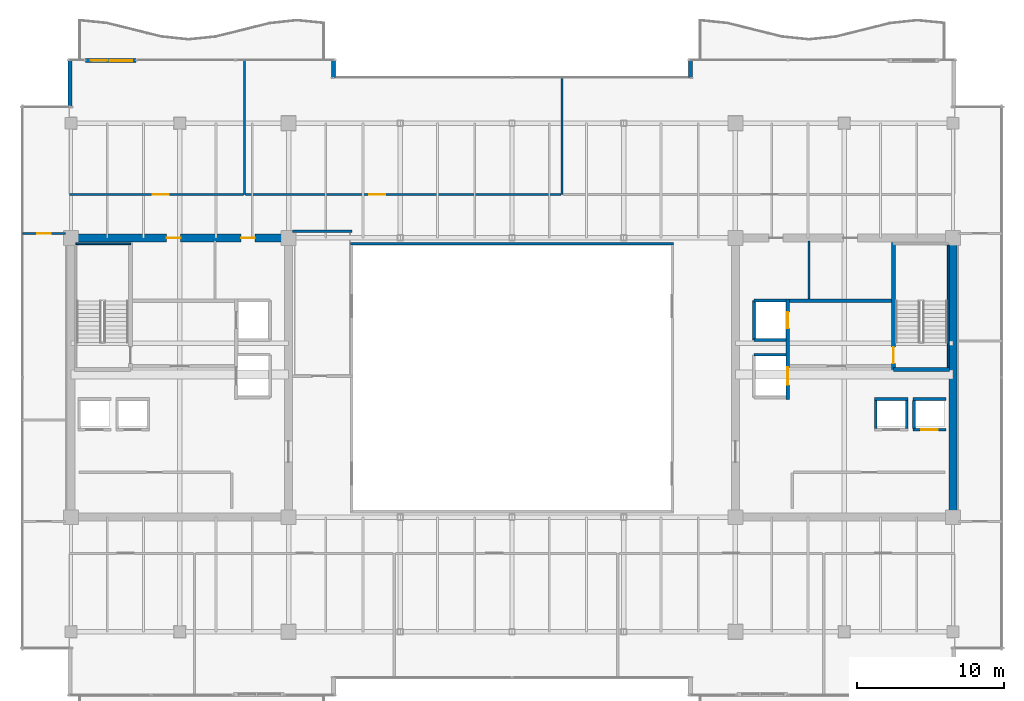
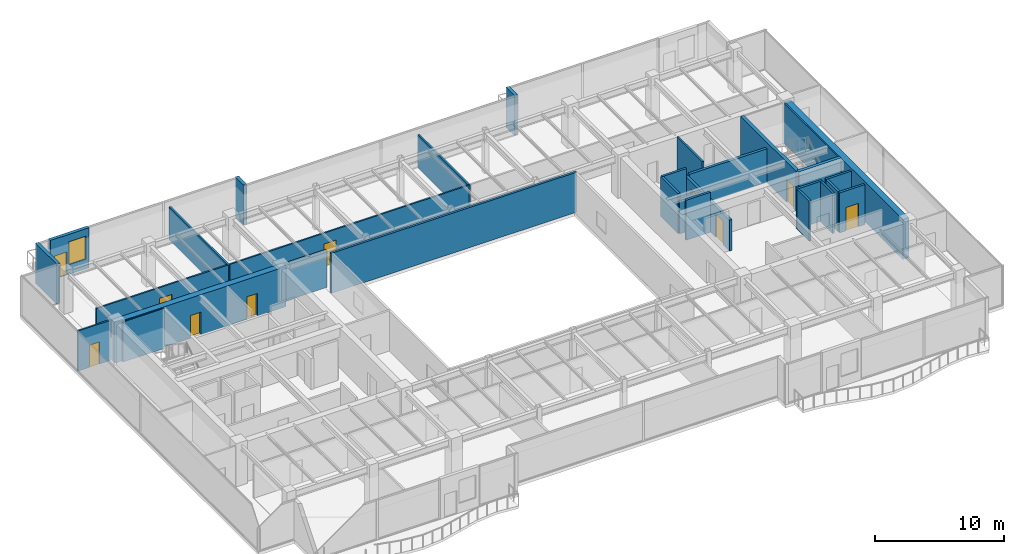
# One storey, part 30 of 35: 30 walls, 10 doors, 1 window, 11 openings.
"""IFC4 building model written with IfcOpenShell, lengths in metres."""

import ifcopenshell
import ifcopenshell.guid

model = None  # the IFC model being written
_history = None  # IfcOwnerHistory: only IFC2X3 demands one
_inside = {}  # id of a spatial element -> (the spatial element, [elements in it])
_under = {}  # id of a project, library or spatial element -> (it, [spatial elements below it])
_declared = {}  # id of a project -> (the project, [libraries it declares])
_typed = {}  # id of a type object -> (the type object, [elements of that type])
_made_of = {}  # id of a material, layer set ... -> (it, [elements and type objects made of it])


def new_model(schema):
    """Start an empty IFC model of exactly this schema.

    Asked for "IFC4X3", IfcOpenShell would pick the latest addendum, in which some entities
    have other attributes; the version numbers below select the first issue.
    IFC2X3 requires an IfcOwnerHistory on every rooted entity: one is made here for all.
    """
    global model, _history
    if schema == "IFC4X3":
        model = ifcopenshell.file(schema_version=(4, 3, 0, 0))
    else:
        model = ifcopenshell.file(schema=schema)
    _inside.clear()
    _under.clear()
    _declared.clear()
    _typed.clear()
    _made_of.clear()
    _history = None
    if model.schema == "IFC2X3":
        org = make("IfcOrganization", Name="unknown")
        user = make(
            "IfcPersonAndOrganization",
            ThePerson=make("IfcPerson", FamilyName="unknown"),
            TheOrganization=org,
        )
        app = make(
            "IfcApplication",
            ApplicationDeveloper=org,
            Version="unknown",
            ApplicationFullName="unknown",
            ApplicationIdentifier="unknown",
        )
        _history = make(
            "IfcOwnerHistory",
            OwningUser=user,
            OwningApplication=app,
            ChangeAction="ADDED",
            CreationDate=0,
        )
    return model


def make(cls, **values):
    """One entity of the class cls with the attributes given. An attribute that is None is left unset."""
    return model.create_entity(
        cls, **{name: value for name, value in values.items() if value is not None}
    )


def rooted(cls, **values):
    """An entity with a GlobalId (a new one), such as an element, a storey or a relation."""
    return make(cls, GlobalId=ifcopenshell.guid.new(), OwnerHistory=_history, **values)


def si_unit(unit_type, name, prefix=None):
    """IfcSIUnit, for example si_unit("LENGTHUNIT", "METRE", prefix="MILLI")."""
    return make("IfcSIUnit", UnitType=unit_type, Prefix=prefix, Name=name)


def assignment(units):
    """IfcUnitAssignment: the units of a project."""
    return None if units is None else make("IfcUnitAssignment", Units=units)


def point(xyz):
    """IfcCartesianPoint."""
    return None if xyz is None else make("IfcCartesianPoint", Coordinates=xyz)


def direction(xyz):
    """IfcDirection."""
    return None if xyz is None else make("IfcDirection", DirectionRatios=xyz)


def frame(location, z_axis=None, x_axis=None):
    """IfcAxis2Placement3D, a coordinate frame: its origin and axes. An axis left out is left unset."""
    return make(
        "IfcAxis2Placement3D",
        Location=point(location),
        Axis=direction(z_axis),
        RefDirection=direction(x_axis),
    )


def frame_2d(location, x_axis=None):
    """IfcAxis2Placement2D, a coordinate frame in the plane: its origin and x axis."""
    return make(
        "IfcAxis2Placement2D", Location=point(location), RefDirection=direction(x_axis)
    )


def origin():
    """The frame at (0, 0, 0) with its axes left unset."""
    return frame((0.0, 0.0, 0.0))


def place(relative_to, where):
    """IfcLocalPlacement: puts the frame where relative to a parent placement (None: the world)."""
    return make(
        "IfcLocalPlacement", PlacementRelTo=relative_to, RelativePlacement=where
    )


def context(
    kind, dimensions, precision=None, world=None, true_north=None, identifier=None
):
    """IfcGeometricRepresentationContext, for example the 3D "Model" context."""
    return make(
        "IfcGeometricRepresentationContext",
        ContextIdentifier=identifier,
        ContextType=kind,
        CoordinateSpaceDimension=dimensions,
        Precision=precision,
        WorldCoordinateSystem=world,
        TrueNorth=true_north,
    )


def subcontext(parent, identifier, kind, view, scale=None):
    """IfcGeometricRepresentationSubContext, for example "Body" below "Model"."""
    return make(
        "IfcGeometricRepresentationSubContext",
        ContextIdentifier=identifier,
        ContextType=kind,
        ParentContext=parent,
        TargetScale=scale,
        TargetView=view,
    )


def project(units=None, contexts=None):
    """IfcProject with its units and contexts."""
    return rooted(
        "IfcProject",
        Name="project",
        RepresentationContexts=contexts,
        UnitsInContext=assignment(units),
    )


def spatial(cls, under=None, at=None, **own):
    """A site, building, storey or space (cls), placed at a placement, below another one or the project."""
    s = rooted(cls, ObjectPlacement=at, **own)
    if under is not None:
        _under.setdefault(under.id(), (under, []))[1].append(s)
    return s


def profile(cls, at=None, kind="AREA", **sizes):
    """A parametric profile (cls). Its sizes go by their IFC names, for example OverallWidth=200.0."""
    return make(cls, ProfileType=kind, Position=at, **sizes)


def rectangle(**sizes):
    """IfcRectangleProfileDef."""
    return profile("IfcRectangleProfileDef", **sizes)


def extrude(swept, where, along, depth):
    """IfcExtrudedAreaSolid: the profile swept, set in the frame where, extruded along a direction by depth."""
    return make(
        "IfcExtrudedAreaSolid",
        SweptArea=swept,
        Position=where,
        ExtrudedDirection=direction(along),
        Depth=depth,
    )


def shape(context_of_items, identifier, shape_type, items):
    """IfcShapeRepresentation: the items that make up one representation, for example the "Body"."""
    return make(
        "IfcShapeRepresentation",
        ContextOfItems=context_of_items,
        RepresentationIdentifier=identifier,
        RepresentationType=shape_type,
        Items=items,
    )


def source(mapping_origin, context_of_items, identifier, shape_type, items):
    """IfcRepresentationMap: a shape defined once, which mapped items show again and again."""
    return make(
        "IfcRepresentationMap",
        MappingOrigin=mapping_origin,
        MappedRepresentation=shape(context_of_items, identifier, shape_type, items),
    )


def transform(
    local_origin,
    x_axis=None,
    y_axis=None,
    z_axis=None,
    scale=None,
    scale2=None,
    scale3=None,
    uniform=True,
):
    """IfcCartesianTransformationOperator3D, or its non-uniform kind. x_axis, y_axis, z_axis: its Axis1, 2, 3."""
    if uniform:
        return make(
            "IfcCartesianTransformationOperator3D",
            Axis1=direction(x_axis),
            Axis2=direction(y_axis),
            LocalOrigin=point(local_origin),
            Scale=scale,
            Axis3=direction(z_axis),
        )
    return make(
        "IfcCartesianTransformationOperator3DnonUniform",
        Axis1=direction(x_axis),
        Axis2=direction(y_axis),
        LocalOrigin=point(local_origin),
        Scale=scale,
        Axis3=direction(z_axis),
        Scale2=scale2,
        Scale3=scale3,
    )


def mapped(mapping_source, mapping_target):
    """IfcMappedItem: shows the shape of a source again, moved by a transform."""
    return make(
        "IfcMappedItem", MappingSource=mapping_source, MappingTarget=mapping_target
    )


def material(Name=None, Category=None):
    """IfcMaterial."""
    return make("IfcMaterial", Name=Name, Category=Category)


def layer(
    of_material, thickness, ventilated=None, Name=None, Category=None, Priority=None
):
    """IfcMaterialLayer: one layer of a wall or slab, of a material (None: an air gap)."""
    return make(
        "IfcMaterialLayer",
        Material=of_material,
        LayerThickness=thickness,
        IsVentilated=ventilated,
        Name=Name,
        Category=Category,
        Priority=Priority,
    )


def layer_set(layers, Name=None):
    """IfcMaterialLayerSet."""
    return make("IfcMaterialLayerSet", MaterialLayers=layers, LayerSetName=Name)


def made_of(thing, what):
    """Note that an element or type object is made of a material, layer set ...; save() writes the relation."""
    if what is not None:
        _made_of.setdefault(what.id(), (what, []))[1].append(thing)
    return thing


def type_object(cls, material=None, **own):
    """A type object (cls), such as IfcWallType, which elements share."""
    return made_of(rooted(cls, **own), material)


def type_shapes(of_type, sources):
    """Give a type object the sources (RepresentationMaps) that its elements show as mapped items."""
    of_type.RepresentationMaps = sources


def element(
    cls,
    number,
    at=None,
    inside=None,
    cuts=None,
    type_object=None,
    material=None,
    context=None,
    identifier="Body",
    shape_type=None,
    held_by="IfcProductDefinitionShape",
    body=None,
    shapes=None,
    **own,
):
    """One element of the class cls, such as IfcWall. Its Tag is "e" and its number.

    at: its placement. inside: the storey or other place that contains it. cuts: it is an
    opening in that element (IfcRelVoidsElement). A single representation is given by context,
    identifier, shape_type and body (its items); several are given by shapes. held_by: the class
    of the entity that holds the representations. save() writes the other relations.
    """
    e = rooted(cls, Tag="e%d" % number, ObjectPlacement=at, **own)
    if body is not None:
        shapes = [shape(context, identifier, shape_type, body)]
    if shapes is not None:
        e.Representation = make(held_by, Representations=shapes)
    if inside is not None:
        _inside.setdefault(inside.id(), (inside, []))[1].append(e)
    if cuts is not None:
        rooted(
            "IfcRelVoidsElement", RelatingBuildingElement=cuts, RelatedOpeningElement=e
        )
    if type_object is not None:
        _typed.setdefault(type_object.id(), (type_object, []))[1].append(e)
    return made_of(e, material)


def fill(opening, filler):
    """IfcRelFillsElement: the door or window that sits in an opening."""
    return rooted(
        "IfcRelFillsElement",
        RelatingOpeningElement=opening,
        RelatedBuildingElement=filler,
    )


def aggregate(whole, parts):
    """IfcRelAggregates: a whole, such as a stair, and the parts it consists of."""
    return rooted("IfcRelAggregates", RelatingObject=whole, RelatedObjects=parts)


def save(model, path):
    """Write the relations noted so far, then the file.

    IfcRelAggregates (storeys below a building ...), IfcRelContainedInSpatialStructure (elements
    in a storey), IfcRelDefinesByType, IfcRelAssociatesMaterial and IfcRelDeclares: one each for
    every whole, place, type object, material and project.
    """
    for whole, parts in _under.values():
        aggregate(whole, parts)
    for where, things in _inside.values():
        rooted(
            "IfcRelContainedInSpatialStructure",
            RelatedElements=things,
            RelatingStructure=where,
        )
    for kind, things in _typed.values():
        rooted("IfcRelDefinesByType", RelatedObjects=things, RelatingType=kind)
    for what, things in _made_of.values():
        rooted("IfcRelAssociatesMaterial", RelatedObjects=things, RelatingMaterial=what)
    for by, libraries in _declared.values():
        rooted("IfcRelDeclares", RelatingContext=by, RelatedDefinitions=libraries)
    model.write(path)


model = new_model("IFC4")

# Units and contexts
model_context = context("Model", 3, precision=1e-05, world=origin(), true_north=direction((0.0, 1.0)))
body_context = subcontext(model_context, "Body", "Model", "MODEL_VIEW")
ifc_project = project(units=[si_unit("LENGTHUNIT", "METRE"), si_unit("AREAUNIT", "SQUARE_METRE"), si_unit("VOLUMEUNIT", "CUBIC_METRE"), si_unit("PLANEANGLEUNIT", "RADIAN"), si_unit("MASSUNIT", "GRAM", prefix="KILO")], contexts=[model_context])

# Site, building, storey
site_placement = place(None, origin())
site = spatial("IfcSite", under=ifc_project, at=site_placement, CompositionType="ELEMENT")
building_placement = place(site_placement, origin())
building = spatial("IfcBuilding", under=site, at=building_placement, Name="Haelvirn Gate Laboratories", CompositionType="ELEMENT")
storey_placement = place(building_placement, frame((0.0, 0.0, 283.39990234375)))
storey = spatial("IfcBuildingStorey", under=building, at=storey_placement, Name="L68", CompositionType="ELEMENT", Elevation=283.39990234375)

# Wall, openings, door, window
ifc_material_1 = material(Name="Thermally-broken bronze aluminium rainscreen & mineral wool", Category="aluminium")
ifc_layer_1 = layer(ifc_material_1, 0.280029296875, Name="EW-TERR-280")
ifc_layer_set_1 = layer_set([ifc_layer_1], Name="Thermally-broken bronze aluminium rainscreen & mineral wool")
wall_type_1 = type_object("IfcWallType", Name="EW-TERR-280", PredefinedType="STANDARD", material=ifc_layer_set_1)
wall_1_placement = place(storey_placement, frame((8.3720703125, 45.860107421875, 0.0), z_axis=(0.0, 0.0, 1.0), x_axis=(1.0, 0.0, 0.0)))
wall_1 = element("IfcWall", 1, at=wall_1_placement, inside=storey, type_object=wall_type_1, Name="L68 Terrace Access Wall WB-WL-N", PredefinedType="STANDARD", context=body_context, shape_type="SweptSolid", body=[
    extrude(rectangle(XDim=3.455810546875, YDim=0.280029296875, at=frame_2d((1.72802734375, 0.0))), origin(), (0.0, 0.0, 1.0), 3.800048828125),
])
opening_1_placement = place(wall_1_placement, frame((0.3779296875, 0.0, 0.0)))
opening_1 = element("IfcOpeningElement", 2, at=opening_1_placement, cuts=wall_1, Name="Opening TD1", PredefinedType="OPENING", context=body_context, shape_type="SweptSolid", body=[
    extrude(rectangle(XDim=1.10009765625, YDim=2.199951171875, at=frame_2d((0.550048828125, 1.10009765625))), frame((0.0, 0.14990234375, 0.0), z_axis=(0.0, -1.0, 0.0), x_axis=(1.0, 0.0, 0.0)), (0.0, 0.0, 1.0), 0.300048828125),
])
opening_2_placement = place(wall_1_placement, frame((1.677978515625, 0.0, 0.89990234375)))
opening_2 = element("IfcOpeningElement", 3, at=opening_2_placement, cuts=wall_1, Name="Opening W3", PredefinedType="OPENING", context=body_context, shape_type="SweptSolid", body=[
    extrude(rectangle(XDim=1.5, YDim=2.199951171875, at=frame_2d((0.75, 1.10009765625))), frame((0.0, 0.14990234375, 0.0), z_axis=(0.0, -1.0, 0.0), x_axis=(1.0, 0.0, 0.0)), (0.0, 0.0, 1.0), 0.300048828125),
])
ifc_material_2 = material(Name="Thermally-broken bronze aluminium glazed terrace door", Category="aluminium")
door_type_1 = type_object("IfcDoorType", Name="DR-TERR-1100", OperationType="NOTDEFINED", PredefinedType="DOOR", material=ifc_material_2)
shared_shape_1 = source(origin(), body_context, "Body", "SweptSolid", [
    extrude(rectangle(XDim=1.10009765625, YDim=2.199951171875, at=frame_2d((0.550048828125, 1.10009765625))), frame((0.0, 0.02490234375, 0.0), z_axis=(0.0, -1.0, 0.0), x_axis=(1.0, 0.0, 0.0)), (0.0, 0.0, 1.0), 0.050048828125),
])
type_shapes(door_type_1, [shared_shape_1])
door_1_placement = place(opening_1_placement, origin())
door_1 = element("IfcDoor", 4, at=door_1_placement, inside=storey, type_object=door_type_1, Name="L68 Terrace Access Door WB-WL-N", OperationType="SINGLE_SWING_RIGHT", OverallHeight=2.199951171875, OverallWidth=1.10009765625, PredefinedType="DOOR", context=body_context, shape_type="MappedRepresentation", body=[
    mapped(shared_shape_1, transform((0.0, 0.0, 0.0), scale=1.0)),
])
fill(opening_1, door_1)
ifc_material_3 = material(Name="Bronze anodised aluminium & triple low-E glass", Category="aluminium")
window_type = type_object("IfcWindowType", Name="WIN-TERR-1600", PartitioningType="SINGLE_PANEL", PredefinedType="WINDOW", material=ifc_material_3)
shared_shape_2 = source(origin(), body_context, "Body", "SweptSolid", [
    extrude(rectangle(XDim=1.5, YDim=2.199951171875, at=frame_2d((0.75, 1.10009765625))), frame((0.0, 0.030029296875, 0.0), z_axis=(0.0, -1.0, 0.0), x_axis=(1.0, 0.0, 0.0)), (0.0, 0.0, 1.0), 0.06005859375),
])
type_shapes(window_type, [shared_shape_2])
window_placement = place(opening_2_placement, origin())
window = element("IfcWindow", 5, at=window_placement, inside=storey, type_object=window_type, Name="L68 Terrace Vision Window WB-WL-N", OverallHeight=2.199951171875, OverallWidth=1.5, PartitioningType="SINGLE_PANEL", PredefinedType="WINDOW", context=body_context, shape_type="MappedRepresentation", body=[
    mapped(shared_shape_2, transform((0.0, 0.0, 0.0), scale=1.0)),
])
fill(opening_2, window)

# Walls
for number, where, z_axis, x_axis, name in (
    (6, (49.5400390625, 46.0, 0.0), (0.0, 0.0, 1.0), (0.0, -1.0, 0.0), "L68 Atrium Recess Bronze Return Wall 11"),
    (7, (25.260009765625, 44.70703125, 0.0), (0.0, 0.0, 1.0), (0.0, 1.0, 0.0), "L68 Atrium Recess Bronze Return Wall 13"),
):
    element("IfcWall", number, at=place(storey_placement, frame(where, z_axis=z_axis, x_axis=x_axis)), inside=storey, type_object=wall_type_1, Name=name, PredefinedType="STANDARD", context=body_context, shape_type="SweptSolid", body=[
        extrude(rectangle(XDim=1.29296875, YDim=0.280029296875, at=frame_2d((0.646484375, 0.0))), origin(), (0.0, 0.0, 1.0), 3.800048828125),
    ])
wall_2_placement = place(storey_placement, frame((7.340087890625, 46.0, 0.0), z_axis=(0.0, 0.0, 1.0), x_axis=(0.0, -1.0, 0.0)))
element("IfcWall", 8, at=wall_2_placement, inside=storey, type_object=wall_type_1, Name="L68 Atrium Recess Bronze Return Wall 15", PredefinedType="STANDARD", context=body_context, shape_type="SweptSolid", body=[
    extrude(rectangle(XDim=3.2880859375, YDim=0.280029296875, at=frame_2d((1.64404296875, 0.0))), origin(), (0.0, 0.0, 1.0), 3.800048828125),
])
ifc_material_4 = material(Name="Double-layer acoustic gypsum laboratory partition", Category="gypsum")
ifc_layer_2 = layer(ifc_material_4, 0.159912109375, Name="IW-ACOUST-160")
ifc_layer_set_2 = layer_set([ifc_layer_2], Name="Double-layer acoustic gypsum laboratory partition")
wall_type_2 = type_object("IfcWallType", Name="IW-ACOUST-160", PredefinedType="PARTITIONING", material=ifc_layer_set_2)
wall_3_placement = place(storey_placement, frame((19.199951171875, 36.760009765625, 0.0), z_axis=(0.0, 0.0, 1.0), x_axis=(0.0, 1.0, 0.0)))
element("IfcWall", 9, at=wall_3_placement, inside=storey, type_object=wall_type_2, Name="L68 Interior Wall IW-L68-NDIV-01", PredefinedType="PARTITIONING", context=body_context, shape_type="SweptSolid", body=[
    extrude(rectangle(XDim=9.1298828125, YDim=0.159912109375, at=frame_2d((4.56494140625, 0.0))), origin(), (0.0, 0.0, 1.0), 3.135009765625),
])
wall_4_placement = place(storey_placement, frame((40.800048828125, 36.760009765625, 0.0), z_axis=(0.0, 0.0, 1.0), x_axis=(0.0, 1.0, 0.0)))
element("IfcWall", 10, at=wall_4_placement, inside=storey, type_object=wall_type_2, Name="L68 Interior Wall IW-L68-NDIV-02", PredefinedType="PARTITIONING", context=body_context, shape_type="SweptSolid", body=[
    extrude(rectangle(XDim=7.929931640625, YDim=0.159912109375, at=frame_2d((3.96484375, 0.0))), origin(), (0.0, 0.0, 1.0), 3.135009765625),
])
ifc_material_5 = material(Name="Fire-rated acoustic gypsum board partition", Category="gypsum")
ifc_layer_3 = layer(ifc_material_5, 0.175048828125, Name="IW-ACOUST-180")
ifc_layer_set_3 = layer_set([ifc_layer_3], Name="Fire-rated acoustic gypsum board partition")
wall_type_3 = type_object("IfcWallType", Name="IW-ACOUST-180", PredefinedType="PARTITIONING", material=ifc_layer_set_3)
wall_5_placement = place(storey_placement, frame((22.47509765625, 34.260009765625, 0.0), z_axis=(0.0, 0.0, 1.0), x_axis=(1.0, 0.0, 0.0)))
element("IfcWall", 11, at=wall_5_placement, inside=storey, type_object=wall_type_3, Name="L68 Interior Wall IW-L68-WPOD-N", PredefinedType="PARTITIONING", context=body_context, shape_type="SweptSolid", body=[
    extrude(rectangle(XDim=4.02490234375, YDim=0.175048828125, at=frame_2d((2.012451171875, 0.0))), origin(), (0.0, 0.0, 1.0), 3.53515625),
])
ifc_material_6 = material(Name="Tempered fire-rated borosilicate glass & anodised aluminium", Category="aluminium")
ifc_layer_4 = layer(ifc_material_6, 0.195068359375, Name="IW-GLAZ-200")
ifc_layer_set_4 = layer_set([ifc_layer_4], Name="Tempered fire-rated borosilicate glass & anodised aluminium")
wall_type_4 = type_object("IfcWallType", Name="IW-GLAZ-200", PredefinedType="SOLIDWALL", material=ifc_layer_set_4)
wall_6_placement = place(storey_placement, frame((26.39990234375, 33.39990234375, 0.0), z_axis=(0.0, 0.0, 1.0), x_axis=(1.0, 0.0, 0.0)))
element("IfcWall", 12, at=wall_6_placement, inside=storey, type_object=wall_type_4, Name="L68 Interior Wall IW-L68-ATRIUM-N", PredefinedType="SOLIDWALL", context=body_context, shape_type="SweptSolid", body=[
    extrude(rectangle(XDim=22.0, YDim=0.195068359375, at=frame_2d((11.0, 0.0))), origin(), (0.0, 0.0, 1.0), 3.800048828125),
])

# Wall, opening, door
ifc_material_7 = material(Name="Acoustic mineral-wool gypsum board partition", Category="gypsum")
ifc_layer_5 = layer(ifc_material_7, 0.139892578125, Name="IW-PART-140")
ifc_layer_set_5 = layer_set([ifc_layer_5], Name="Acoustic mineral-wool gypsum board partition")
wall_type_5 = type_object("IfcWallType", Name="IW-PART-140", PredefinedType="PARTITIONING", material=ifc_layer_set_5)
wall_7_placement = place(storey_placement, frame((7.31005859375, 36.760009765625, 0.0), z_axis=(0.0, 0.0, 1.0), x_axis=(1.0, 0.0, 0.0)))
wall_7 = element("IfcWall", 13, at=wall_7_placement, inside=storey, type_object=wall_type_5, Name="L68 Interior Wall IW-L68-NCORR-01", PredefinedType="PARTITIONING", context=body_context, shape_type="SweptSolid", body=[
    extrude(rectangle(XDim=11.81005859375, YDim=0.139892578125, at=frame_2d((5.905029296875, 0.0))), origin(), (0.0, 0.0, 1.0), 3.197021484375),
])
opening_3_placement = place(wall_7_placement, frame((5.6552734375, 0.0, 0.0)))
opening_3 = element("IfcOpeningElement", 14, at=opening_3_placement, cuts=wall_7, Name="Opening D1", PredefinedType="OPENING", context=body_context, shape_type="SweptSolid", body=[
    extrude(rectangle(XDim=1.10009765625, YDim=2.179931640625, at=frame_2d((0.550048828125, 1.08984375))), frame((0.0, 0.080078125, 0.0), z_axis=(0.0, -1.0, 0.0), x_axis=(1.0, 0.0, 0.0)), (0.0, 0.0, 1.0), 0.159912109375),
])
ifc_material_8 = material(Name="Vision-panel acoustic solid-core timber lab door", Category="wood")
door_type_2 = type_object("IfcDoorType", Name="DR-LAB-1100", OperationType="NOTDEFINED", PredefinedType="DOOR", material=ifc_material_8)
shared_shape_3 = source(origin(), body_context, "Body", "SweptSolid", [
    extrude(rectangle(XDim=1.10009765625, YDim=2.179931640625, at=frame_2d((0.550048828125, 1.08984375))), frame((0.0, 0.02490234375, 0.0), z_axis=(0.0, -1.0, 0.0), x_axis=(1.0, 0.0, 0.0)), (0.0, 0.0, 1.0), 0.050048828125),
])
type_shapes(door_type_2, [shared_shape_3])
door_2_placement = place(opening_3_placement, origin())
door_2 = element("IfcDoor", 15, at=door_2_placement, inside=storey, type_object=door_type_2, Name="L68 Researcher Quiet Study Door N1", OperationType="SINGLE_SWING_RIGHT", OverallHeight=2.179931640625, OverallWidth=1.10009765625, PredefinedType="DOOR", context=body_context, shape_type="MappedRepresentation", body=[
    mapped(shared_shape_3, transform((0.0, 0.0, 0.0), scale=1.0)),
])
fill(opening_3, door_2)

wall_8_placement = place(storey_placement, frame((19.280029296875, 36.760009765625, 0.0), z_axis=(0.0, 0.0, 1.0), x_axis=(1.0, 0.0, 0.0)))
wall_8 = element("IfcWall", 16, at=wall_8_placement, inside=storey, type_object=wall_type_5, Name="L68 Interior Wall IW-L68-NCORR-02", PredefinedType="PARTITIONING", context=body_context, shape_type="SweptSolid", body=[
    extrude(rectangle(XDim=21.43994140625, YDim=0.139892578125, at=frame_2d((10.719970703125, 0.0))), origin(), (0.0, 0.0, 1.0), 3.197021484375),
])
opening_4_placement = place(wall_8_placement, frame((8.40234375, 0.0, 0.0)))
opening_4 = element("IfcOpeningElement", 17, at=opening_4_placement, cuts=wall_8, Name="Opening D1", PredefinedType="OPENING", context=body_context, shape_type="SweptSolid", body=[
    extrude(rectangle(XDim=1.10009765625, YDim=2.179931640625, at=frame_2d((0.550048828125, 1.08984375))), frame((0.0, 0.080078125, 0.0), z_axis=(0.0, -1.0, 0.0), x_axis=(1.0, 0.0, 0.0)), (0.0, 0.0, 1.0), 0.159912109375),
])
door_3_placement = place(opening_4_placement, origin())
door_3 = element("IfcDoor", 18, at=door_3_placement, inside=storey, type_object=door_type_2, Name="L68 Computational Write-Up Office Door N2", OperationType="SINGLE_SWING_LEFT", OverallHeight=2.179931640625, OverallWidth=1.10009765625, PredefinedType="DOOR", context=body_context, shape_type="MappedRepresentation", body=[
    mapped(shared_shape_3, transform((0.0, 0.0, 0.0), scale=1.0)),
])
fill(opening_4, door_3)

wall_9_placement = place(storey_placement, frame((4.110107421875, 34.094970703125, 0.0), z_axis=(0.0, 0.0, 1.0), x_axis=(1.0, 0.0, 0.0)))
wall_9 = element("IfcWall", 19, at=wall_9_placement, inside=storey, type_object=wall_type_5, Name="L68 Interior Wall IW-L68-WZ3-ENT-N", PredefinedType="PARTITIONING", context=body_context, shape_type="SweptSolid", body=[
    extrude(rectangle(XDim=2.909912109375, YDim=0.139892578125, at=frame_2d((1.455078125, 0.0))), origin(), (0.0, 0.0, 1.0), 3.800048828125),
])
opening_5_placement = place(wall_9_placement, frame((1.0048828125, 0.0, 0.0)))
opening_5 = element("IfcOpeningElement", 20, at=opening_5_placement, cuts=wall_9, Name="Opening D4", PredefinedType="OPENING", context=body_context, shape_type="SweptSolid", body=[
    extrude(rectangle(XDim=0.89990234375, YDim=2.10009765625, at=frame_2d((0.449951171875, 1.050048828125))), frame((0.0, 0.080078125, 0.0), z_axis=(0.0, -1.0, 0.0), x_axis=(1.0, 0.0, 0.0)), (0.0, 0.0, 1.0), 0.159912109375),
])
ifc_material_9 = material(Name="Glazed aluminium-framed write-up door", Category="aluminium")
door_type_3 = type_object("IfcDoorType", Name="DR-OFF-900", OperationType="NOTDEFINED", PredefinedType="DOOR", material=ifc_material_9)
shared_shape_4 = source(origin(), body_context, "Body", "SweptSolid", [
    extrude(rectangle(XDim=0.89990234375, YDim=2.10009765625, at=frame_2d((0.449951171875, 1.050048828125))), frame((0.0, 0.02490234375, 0.0), z_axis=(0.0, -1.0, 0.0), x_axis=(1.0, 0.0, 0.0)), (0.0, 0.0, 1.0), 0.050048828125),
])
type_shapes(door_type_3, [shared_shape_4])
door_4_placement = place(opening_5_placement, origin())
door_4 = element("IfcDoor", 21, at=door_4_placement, inside=storey, type_object=door_type_3, Name="L68 Researcher Break Pantry Door W-N", OperationType="SINGLE_SWING_RIGHT", OverallHeight=2.10009765625, OverallWidth=0.89990234375, PredefinedType="DOOR", context=body_context, shape_type="MappedRepresentation", body=[
    mapped(shared_shape_4, transform((0.0, 0.0, 0.0), scale=1.0)),
])
fill(opening_5, door_4)

# Walls
ifc_material_10 = material(Name="Cement-board restroom plumbing chase wall", Category="gypsum")
ifc_layer_6 = layer(ifc_material_10, 0.155029296875, Name="IW-PLUMB-160")
ifc_layer_set_6 = layer_set([ifc_layer_6], Name="Cement-board restroom plumbing chase wall")
wall_type_6 = type_object("IfcWallType", Name="IW-PLUMB-160", PredefinedType="PLUMBINGWALL", material=ifc_layer_set_6)
wall_10_placement = place(storey_placement, frame((57.610107421875, 29.64990234375, 0.0), z_axis=(0.0, 0.0, 1.0), x_axis=(0.0, 1.0, 0.0)))
element("IfcWall", 22, at=wall_10_placement, inside=storey, type_object=wall_type_6, Name="L68 Interior Wall IW-L68-E-CDIV-1", PredefinedType="PLUMBINGWALL", context=body_context, shape_type="SweptSolid", body=[
    extrude(rectangle(XDim=3.93017578125, YDim=0.155029296875, at=frame_2d((1.965087890625, 0.0))), origin(), (0.0, 0.0, 1.0), 3.800048828125),
])
ifc_material_11 = material(Name="Concrete C40/50", Category="concrete")
ifc_layer_7 = layer(ifc_material_11, 0.179931640625, Name="IW-SHAFT-180")
ifc_layer_set_7 = layer_set([ifc_layer_7], Name="Concrete C40/50")
wall_type_7 = type_object("IfcWallType", Name="IW-SHAFT-180", PredefinedType="SOLIDWALL", material=ifc_layer_set_7)
for number, where, z_axis, x_axis, name in (
    (23, (64.75, 20.85009765625, 0.0), (0.0, 0.0, 1.0), (0.0, 1.0, 0.0), "L68 Interior Wall IW-L68-PL11-SD"),
    (24, (62.14990234375, 20.85009765625, 0.0), (0.0, 0.0, 1.0), (0.0, 1.0, 0.0), "L68 Interior Wall IW-L68-PL12-SD"),
    (25, (64.25, 20.85009765625, 0.0), (0.0, 0.0, 1.0), (0.0, 1.0, 0.0), "L68 Interior Wall IW-L68-PL12-SDE"),
):
    element("IfcWall", number, at=place(storey_placement, frame(where, z_axis=z_axis, x_axis=x_axis)), inside=storey, type_object=wall_type_7, Name=name, PredefinedType="SOLIDWALL", context=body_context, shape_type="SweptSolid", body=[
        extrude(rectangle(XDim=1.89990234375, YDim=0.179931640625, at=frame_2d((0.949951171875, 0.0))), origin(), (0.0, 0.0, 1.0), 3.800048828125),
    ])

# Wall, opening, door
ifc_layer_8 = layer(ifc_material_11, 0.199951171875, Name="IW-SHAFT-200")
ifc_layer_set_8 = layer_set([ifc_layer_8], Name="Concrete C40/50")
wall_type_8 = type_object("IfcWallType", Name="IW-SHAFT-200", PredefinedType="SOLIDWALL", material=ifc_layer_set_8)
wall_11_placement = place(storey_placement, frame((64.669921875, 20.75, 0.0), z_axis=(0.0, 0.0, 1.0), x_axis=(1.0, 0.0, 0.0)))
wall_11 = element("IfcWall", 26, at=wall_11_placement, inside=storey, type_object=wall_type_8, Name="L68 Interior Wall IW-L68-PL11-FR", PredefinedType="SOLIDWALL", context=body_context, shape_type="SweptSolid", body=[
    extrude(rectangle(XDim=2.260009765625, YDim=0.199951171875, at=frame_2d((1.1298828125, 0.0))), origin(), (0.0, 0.0, 1.0), 3.800048828125),
])
opening_6_placement = place(wall_11_placement, frame((0.580078125, 0.0, 0.0)))
opening_6 = element("IfcOpeningElement", 27, at=opening_6_placement, cuts=wall_11, Name="Opening LD2", PredefinedType="OPENING", context=body_context, shape_type="SweptSolid", body=[
    extrude(rectangle(XDim=1.10009765625, YDim=2.219970703125, at=frame_2d((0.550048828125, 1.10986328125))), frame((0.0, 0.10986328125, 0.0), z_axis=(0.0, -1.0, 0.0), x_axis=(1.0, 0.0, 0.0)), (0.0, 0.0, 1.0), 0.219970703125),
])
ifc_material_12 = material(Name="Bronze stainless 316L sliding lift landing door")
door_type_4 = type_object("IfcDoorType", Name="DR-LD-1100", OperationType="NOTDEFINED", PredefinedType="USERDEFINED", material=ifc_material_12)
shared_shape_5 = source(origin(), body_context, "Body", "SweptSolid", [
    extrude(rectangle(XDim=1.10009765625, YDim=2.219970703125, at=frame_2d((0.550048828125, 1.10986328125))), frame((0.0, 0.02490234375, 0.0), z_axis=(0.0, -1.0, 0.0), x_axis=(1.0, 0.0, 0.0)), (0.0, 0.0, 1.0), 0.050048828125),
])
type_shapes(door_type_4, [shared_shape_5])
door_5_placement = place(opening_6_placement, origin())
door_5 = element("IfcDoor", 28, at=door_5_placement, inside=storey, type_object=door_type_4, Name="L68 Passenger Lift PL11 Landing Door", ObjectType="LANDING_DOOR", OperationType="SLIDING_TO_LEFT", OverallHeight=2.219970703125, OverallWidth=1.10009765625, PredefinedType="USERDEFINED", context=body_context, shape_type="MappedRepresentation", body=[
    mapped(shared_shape_5, transform((0.0, 0.0, 0.0), scale=1.0)),
])
fill(opening_6, door_5)

# Walls
for number, where, z_axis, x_axis, name in (
    (29, (64.669921875, 22.85009765625, 0.0), (0.0, 0.0, 1.0), (1.0, 0.0, 0.0), "L68 Interior Wall IW-L68-PL11-BK"),
    (30, (62.070068359375, 22.85009765625, 0.0), (0.0, 0.0, 1.0), (1.0, 0.0, 0.0), "L68 Interior Wall IW-L68-PL12-BK"),
):
    element("IfcWall", number, at=place(storey_placement, frame(where, z_axis=z_axis, x_axis=x_axis)), inside=storey, type_object=wall_type_8, Name=name, PredefinedType="SOLIDWALL", context=body_context, shape_type="SweptSolid", body=[
        extrude(rectangle(XDim=2.260009765625, YDim=0.199951171875, at=frame_2d((1.1298828125, 0.0))), origin(), (0.0, 0.0, 1.0), 3.800048828125),
    ])
wall_12_placement = place(storey_placement, frame((53.85009765625, 26.85009765625, 0.0), z_axis=(0.0, 0.0, 1.0), x_axis=(0.0, 1.0, 0.0)))
element("IfcWall", 31, at=wall_12_placement, inside=storey, type_object=wall_type_8, Name="L68 Interior Wall IW-L68-FL2-BK", PredefinedType="SOLIDWALL", context=body_context, shape_type="SweptSolid", body=[
    extrude(rectangle(XDim=2.699951171875, YDim=0.199951171875, at=frame_2d((1.35009765625, 0.0))), origin(), (0.0, 0.0, 1.0), 3.800048828125),
])
wall_13_placement = place(storey_placement, frame((53.85009765625, 29.550048828125, 0.0), z_axis=(0.0, 0.0, 1.0), x_axis=(1.0, 0.0, 0.0)))
element("IfcWall", 32, at=wall_13_placement, inside=storey, type_object=wall_type_8, Name="L68 Interior Wall IW-L68-FL2-N", PredefinedType="SOLIDWALL", context=body_context, shape_type="SweptSolid", body=[
    extrude(rectangle(XDim=2.18994140625, YDim=0.199951171875, at=frame_2d((1.094970703125, 0.0))), origin(), (0.0, 0.0, 1.0), 3.800048828125),
])
wall_14_placement = place(storey_placement, frame((53.85009765625, 26.85009765625, 0.0), z_axis=(0.0, 0.0, 1.0), x_axis=(1.0, 0.0, 0.0)))
element("IfcWall", 33, at=wall_14_placement, inside=storey, type_object=wall_type_8, Name="L68 Interior Wall IW-L68-FL2-S", PredefinedType="SOLIDWALL", context=body_context, shape_type="SweptSolid", body=[
    extrude(rectangle(XDim=2.18994140625, YDim=0.199951171875, at=frame_2d((1.094970703125, 0.0))), origin(), (0.0, 0.0, 1.0), 3.197021484375),
])
wall_15_placement = place(storey_placement, frame((53.85009765625, 25.85009765625, 0.0), z_axis=(0.0, 0.0, 1.0), x_axis=(1.0, 0.0, 0.0)))
element("IfcWall", 34, at=wall_15_placement, inside=storey, type_object=wall_type_8, Name="L68 Interior Wall IW-L68-SL2-N", PredefinedType="SOLIDWALL", context=body_context, shape_type="SweptSolid", body=[
    extrude(rectangle(XDim=2.18994140625, YDim=0.199951171875, at=frame_2d((1.094970703125, 0.0))), origin(), (0.0, 0.0, 1.0), 3.800048828125),
])
ifc_layer_9 = layer(ifc_material_11, 0.239990234375, Name="IW-SHAFT-240")
ifc_layer_set_9 = layer_set([ifc_layer_9], Name="Concrete C40/50")
wall_type_9 = type_object("IfcWallType", Name="IW-SHAFT-240", PredefinedType="SOLIDWALL", material=ifc_layer_set_9)
wall_16_placement = place(storey_placement, frame((56.280029296875, 29.52001953125, 0.0), z_axis=(0.0, 0.0, 1.0), x_axis=(1.0, 0.0, 0.0)))
element("IfcWall", 35, at=wall_16_placement, inside=storey, type_object=wall_type_9, Name="L68 Interior Wall IW-L68-E-FF-N", PredefinedType="SOLIDWALL", context=body_context, shape_type="SweptSolid", body=[
    extrude(rectangle(XDim=6.919921875, YDim=0.239990234375, at=frame_2d((3.4599609375, 0.0))), origin(), (0.0, 0.0, 1.0), 3.197021484375),
])

# Wall, openings, doors
wall_17_placement = place(storey_placement, frame((56.159912109375, 22.800048828125, 0.0), z_axis=(0.0, 0.0, 1.0), x_axis=(0.0, 1.0, 0.0)))
wall_17 = element("IfcWall", 36, at=wall_17_placement, inside=storey, type_object=wall_type_9, Name="L68 Interior Wall IW-L68-E-FF-E", PredefinedType="SOLIDWALL", context=body_context, shape_type="SweptSolid", body=[
    extrude(rectangle(XDim=6.849853515625, YDim=0.239990234375, at=frame_2d((3.4248046875, 0.0))), origin(), (0.0, 0.0, 1.0), 2.93505859375),
])
opening_7_placement = place(wall_17_placement, frame((4.85009765625, 0.0, 0.0)))
opening_7 = element("IfcOpeningElement", 37, at=opening_7_placement, cuts=wall_17, Name="Opening LD2", PredefinedType="OPENING", context=body_context, shape_type="SweptSolid", body=[
    extrude(rectangle(XDim=1.10009765625, YDim=2.219970703125, at=frame_2d((0.550048828125, 1.10986328125))), frame((0.0, 0.1298828125, 0.0), z_axis=(0.0, -1.0, 0.0), x_axis=(1.0, 0.0, 0.0)), (0.0, 0.0, 1.0), 0.260009765625),
])
opening_8_placement = place(wall_17_placement, frame((1.0, 0.0, 0.0)))
opening_8 = element("IfcOpeningElement", 38, at=opening_8_placement, cuts=wall_17, Name="Opening LD1", PredefinedType="OPENING", context=body_context, shape_type="SweptSolid", body=[
    extrude(rectangle(XDim=1.199951171875, YDim=2.219970703125, at=frame_2d((0.60009765625, 1.10986328125))), frame((0.0, 0.1298828125, 0.0), z_axis=(0.0, -1.0, 0.0), x_axis=(1.0, 0.0, 0.0)), (0.0, 0.0, 1.0), 0.260009765625),
])
door_6_placement = place(opening_7_placement, origin())
door_6 = element("IfcDoor", 39, at=door_6_placement, inside=storey, type_object=door_type_4, Name="L68 Firefighting Lift FL2 Landing Door", ObjectType="LANDING_DOOR", OperationType="SLIDING_TO_RIGHT", OverallHeight=2.219970703125, OverallWidth=1.10009765625, PredefinedType="USERDEFINED", context=body_context, shape_type="MappedRepresentation", body=[
    mapped(shared_shape_5, transform((0.0, 0.0, 0.0), scale=1.0)),
])
fill(opening_7, door_6)
ifc_material_13 = material(Name="Stainless steel 316L sliding goods landing door", Category="steel")
door_type_5 = type_object("IfcDoorType", Name="DR-LD-1200", OperationType="NOTDEFINED", PredefinedType="USERDEFINED", material=ifc_material_13)
shared_shape_6 = source(origin(), body_context, "Body", "SweptSolid", [
    extrude(rectangle(XDim=1.199951171875, YDim=2.219970703125, at=frame_2d((0.60009765625, 1.10986328125))), frame((0.0, 0.02490234375, 0.0), z_axis=(0.0, -1.0, 0.0), x_axis=(1.0, 0.0, 0.0)), (0.0, 0.0, 1.0), 0.050048828125),
])
type_shapes(door_type_5, [shared_shape_6])
door_7_placement = place(opening_8_placement, origin())
door_7 = element("IfcDoor", 40, at=door_7_placement, inside=storey, type_object=door_type_5, Name="L68 Service Lift SL2 Landing Door", ObjectType="LANDING_DOOR", OperationType="SLIDING_TO_LEFT", OverallHeight=2.219970703125, OverallWidth=1.199951171875, PredefinedType="USERDEFINED", context=body_context, shape_type="MappedRepresentation", body=[
    mapped(shared_shape_6, transform((0.0, 0.0, 0.0), scale=1.0)),
])
fill(opening_8, door_7)

ifc_material_14 = material(Name="Concrete C50/60", Category="concrete")
ifc_layer_10 = layer(ifc_material_14, 0.550048828125, Name="SW-CORE-550")
ifc_layer_set_10 = layer_set([ifc_layer_10], Name="Concrete C50/60")
wall_type_10 = type_object("IfcWallType", Name="SW-CORE-550", PredefinedType="SHEAR", material=ifc_layer_set_10)
wall_18_placement = place(storey_placement, frame((7.125, 33.800048828125, 0.0), z_axis=(0.0, 0.0, 1.0), x_axis=(1.0, 0.0, 0.0)))
wall_18 = element("IfcWall", 41, at=wall_18_placement, inside=storey, type_object=wall_type_10, Name="L68 W Core Shear Wall N", PredefinedType="SHEAR", context=body_context, shape_type="SweptSolid", body=[
    extrude(rectangle(XDim=15.35009765625, YDim=0.550048828125, at=frame_2d((7.675048828125, 0.0))), origin(), (0.0, 0.0, 1.0), 3.800048828125),
])
opening_9_placement = place(wall_18_placement, frame((6.77490234375, 0.0, 0.0)))
opening_9 = element("IfcOpeningElement", 42, at=opening_9_placement, cuts=wall_18, Name="Opening FD4", PredefinedType="OPENING", context=body_context, shape_type="SweptSolid", body=[
    extrude(rectangle(XDim=0.949951171875, YDim=2.14990234375, at=frame_2d((0.47509765625, 1.074951171875))), frame((0.0, 0.28515625, 0.0), z_axis=(0.0, -1.0, 0.0), x_axis=(1.0, 0.0, 0.0)), (0.0, 0.0, 1.0), 0.570068359375),
])
opening_10_placement = place(wall_18_placement, frame((11.840087890625, 0.0, 0.0)))
opening_10 = element("IfcOpeningElement", 43, at=opening_10_placement, cuts=wall_18, Name="Opening FD4", PredefinedType="OPENING", context=body_context, shape_type="SweptSolid", body=[
    extrude(rectangle(XDim=0.949951171875, YDim=2.14990234375, at=frame_2d((0.47509765625, 1.074951171875))), frame((0.0, 0.28515625, 0.0), z_axis=(0.0, -1.0, 0.0), x_axis=(1.0, 0.0, 0.0)), (0.0, 0.0, 1.0), 0.570068359375),
])
ifc_material_15 = material(Name="Fire-rated steel SM355 core service door", Category="steel")
door_type_6 = type_object("IfcDoorType", Name="DR-FD-950", OperationType="NOTDEFINED", PredefinedType="DOOR", material=ifc_material_15)
shared_shape_7 = source(origin(), body_context, "Body", "SweptSolid", [
    extrude(rectangle(XDim=0.949951171875, YDim=2.14990234375, at=frame_2d((0.47509765625, 1.074951171875))), frame((0.0, 0.02490234375, 0.0), z_axis=(0.0, -1.0, 0.0), x_axis=(1.0, 0.0, 0.0)), (0.0, 0.0, 1.0), 0.050048828125),
])
type_shapes(door_type_6, [shared_shape_7])
door_8_placement = place(opening_9_placement, origin())
door_8 = element("IfcDoor", 44, at=door_8_placement, inside=storey, type_object=door_type_6, Name="L68 All-Gender Multi-Stall Restroom Fire Door", OperationType="SINGLE_SWING_LEFT", OverallHeight=2.14990234375, OverallWidth=0.949951171875, PredefinedType="DOOR", context=body_context, shape_type="MappedRepresentation", body=[
    mapped(shared_shape_7, transform((0.0, 0.0, 0.0), scale=1.0)),
])
fill(opening_9, door_8)
door_9_placement = place(opening_10_placement, origin())
door_9 = element("IfcDoor", 45, at=door_9_placement, inside=storey, type_object=door_type_6, Name="L68 Accessible Restroom Fire Door", OperationType="SINGLE_SWING_RIGHT", OverallHeight=2.14990234375, OverallWidth=0.949951171875, PredefinedType="DOOR", context=body_context, shape_type="MappedRepresentation", body=[
    mapped(shared_shape_7, transform((0.0, 0.0, 0.0), scale=1.0)),
])
fill(opening_10, door_9)

# Walls
wall_19_placement = place(storey_placement, frame((67.39990234375, 15.074951171875, 0.0), z_axis=(0.0, 0.0, 1.0), x_axis=(0.0, 1.0, 0.0)))
element("IfcWall", 46, at=wall_19_placement, inside=storey, type_object=wall_type_10, Name="L68 E Core Shear Wall E", PredefinedType="SHEAR", context=body_context, shape_type="SweptSolid", body=[
    extrude(rectangle(XDim=18.449951171875, YDim=0.550048828125, at=frame_2d((9.22509765625, 0.0))), origin(), (0.0, 0.0, 1.0), 3.800048828125),
])
ifc_layer_11 = layer(ifc_material_14, 0.1201171875, Name="SW-LINER-120")
ifc_layer_set_11 = layer_set([ifc_layer_11], Name="Concrete C50/60")
wall_type_11 = type_object("IfcWallType", Name="SW-LINER-120", PredefinedType="SOLIDWALL", material=ifc_layer_set_11)
wall_20_placement = place(storey_placement, frame((7.72998046875, 33.39990234375, 0.0), z_axis=(0.0, 0.0, 1.0), x_axis=(1.0, 0.0, 0.0)))
element("IfcWall", 47, at=wall_20_placement, inside=storey, type_object=wall_type_11, Name="L68 W Core Stair Shaft Liner Wall N", PredefinedType="SOLIDWALL", context=body_context, shape_type="SweptSolid", body=[
    extrude(rectangle(XDim=3.719970703125, YDim=0.1201171875, at=frame_2d((1.85986328125, 0.0))), origin(), (0.0, 0.0, 1.0), 3.800048828125),
])
wall_21_placement = place(storey_placement, frame((67.070068359375, 25.0, 0.0), z_axis=(0.0, 0.0, 1.0), x_axis=(0.0, 1.0, 0.0)))
element("IfcWall", 48, at=wall_21_placement, inside=storey, type_object=wall_type_11, Name="L68 E Core Stair Shaft Liner Wall OUT", PredefinedType="SOLIDWALL", context=body_context, shape_type="SweptSolid", body=[
    extrude(rectangle(XDim=8.320068359375, YDim=0.1201171875, at=frame_2d((4.16015625, 0.0))), origin(), (0.0, 0.0, 1.0), 3.800048828125),
])

# Wall, opening, door
ifc_layer_12 = layer(ifc_material_14, 0.300048828125, Name="SW-STAIR-300")
ifc_layer_set_12 = layer_set([ifc_layer_12], Name="Concrete C50/60")
wall_type_12 = type_object("IfcWallType", Name="SW-STAIR-300", PredefinedType="SHEAR", material=ifc_layer_set_12)
wall_22_placement = place(storey_placement, frame((63.35009765625, 24.85009765625, 0.0), z_axis=(0.0, 0.0, 1.0), x_axis=(0.0, 1.0, 0.0)))
wall_22 = element("IfcWall", 49, at=wall_22_placement, inside=storey, type_object=wall_type_12, Name="L68 E Core Stair Shaft Structural Wall IN", PredefinedType="SHEAR", context=body_context, shape_type="SweptSolid", body=[
    extrude(rectangle(XDim=8.6298828125, YDim=0.300048828125, at=frame_2d((4.31494140625, 0.0))), origin(), (0.0, 0.0, 1.0), 3.800048828125),
])
opening_11_placement = place(wall_22_placement, frame((0.419921875, 0.0, 0.0)))
opening_11 = element("IfcOpeningElement", 50, at=opening_11_placement, cuts=wall_22, Name="Opening FD3", PredefinedType="OPENING", context=body_context, shape_type="SweptSolid", body=[
    extrude(rectangle(XDim=1.10009765625, YDim=2.14990234375, at=frame_2d((0.550048828125, 1.074951171875))), frame((0.0, 0.16015625, 0.0), z_axis=(0.0, -1.0, 0.0), x_axis=(1.0, 0.0, 0.0)), (0.0, 0.0, 1.0), 0.320068359375),
])
ifc_material_16 = material(Name="Fire-rated steel SM355 escape stair door", Category="steel")
door_type_7 = type_object("IfcDoorType", Name="DR-FD-1100", OperationType="NOTDEFINED", PredefinedType="DOOR", material=ifc_material_16)
shared_shape_8 = source(origin(), body_context, "Body", "SweptSolid", [
    extrude(rectangle(XDim=1.10009765625, YDim=2.14990234375, at=frame_2d((0.550048828125, 1.074951171875))), frame((0.0, 0.02490234375, 0.0), z_axis=(0.0, -1.0, 0.0), x_axis=(1.0, 0.0, 0.0)), (0.0, 0.0, 1.0), 0.050048828125),
])
type_shapes(door_type_7, [shared_shape_8])
door_10_placement = place(opening_11_placement, origin())
door_10 = element("IfcDoor", 51, at=door_10_placement, inside=storey, type_object=door_type_7, Name="L68 Escape Stair ST2 Fire Door", OperationType="SINGLE_SWING_RIGHT", OverallHeight=2.14990234375, OverallWidth=1.10009765625, PredefinedType="DOOR", context=body_context, shape_type="MappedRepresentation", body=[
    mapped(shared_shape_8, transform((0.0, 0.0, 0.0), scale=1.0)),
])
fill(opening_11, door_10)

# Wall
wall_23_placement = place(storey_placement, frame((63.35009765625, 24.85009765625, 0.0), z_axis=(0.0, 0.0, 1.0), x_axis=(1.0, 0.0, 0.0)))
element("IfcWall", 52, at=wall_23_placement, inside=storey, type_object=wall_type_12, Name="L68 E Core Stair Shaft Structural Wall S", PredefinedType="SHEAR", context=body_context, shape_type="SweptSolid", body=[
    extrude(rectangle(XDim=3.7998046875, YDim=0.300048828125, at=frame_2d((1.89990234375, 0.0))), origin(), (0.0, 0.0, 1.0), 3.800048828125),
])

save(model, "model.ifc")
